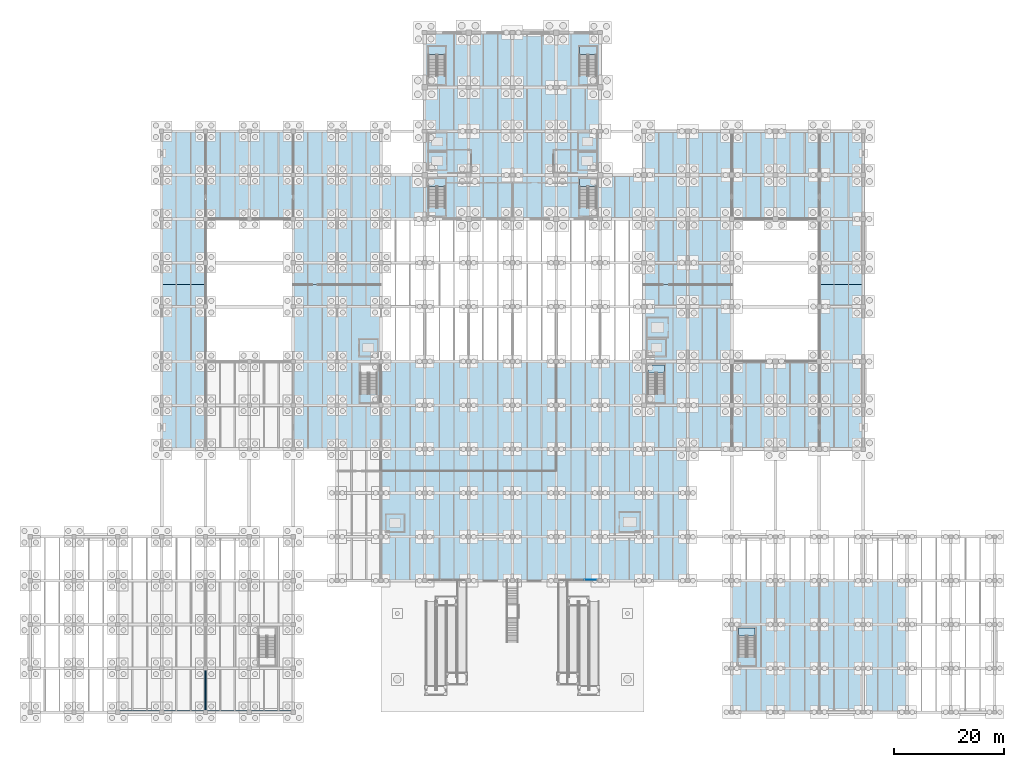
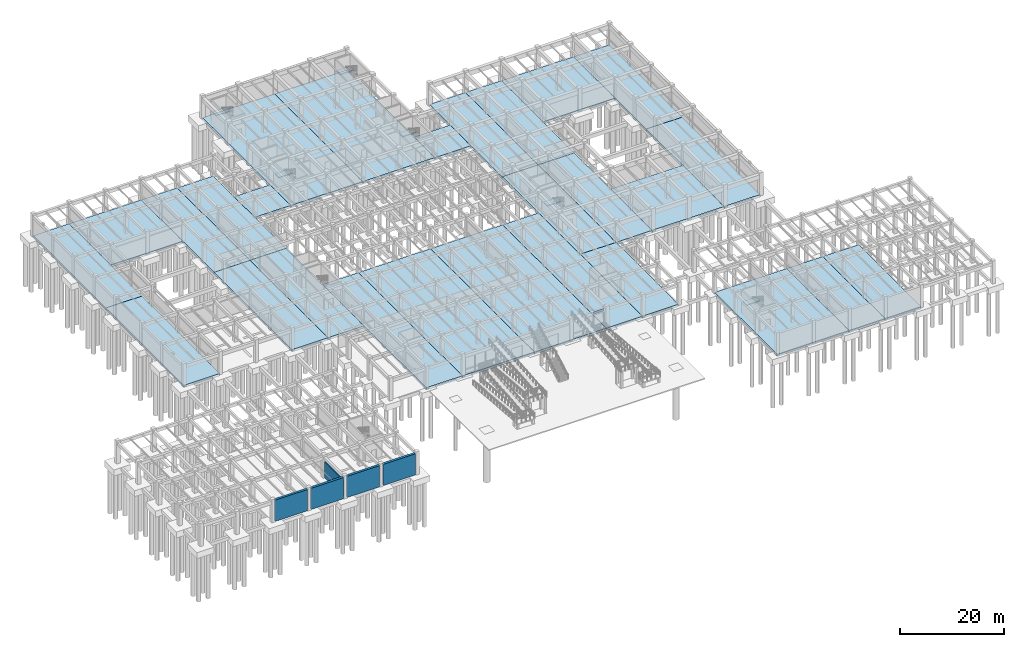
# One storey, part 23 of 44: 33 slabs, 5 walls, 1 plate, 7 elements without a shape of their own.
"""IFC4 building model written with IfcOpenShell, lengths in metres."""

from ifc_helpers import new_model, si_unit, direction, frame, frame_2d, origin, origin_2d, place, context, subcontext, project, spatial, polyline, rectangle, outline, extrude, material, layer, layer_set, type_object, element, aggregate, save


model = new_model("IFC4")

# Units and contexts
model_context = context("Model", 3, precision=1e-05, world=origin(), true_north=direction((0.0, 1.0)))
body_context = subcontext(model_context, "Body", "Model", "MODEL_VIEW")
ifc_project = project(units=[si_unit("LENGTHUNIT", "METRE"), si_unit("AREAUNIT", "SQUARE_METRE"), si_unit("VOLUMEUNIT", "CUBIC_METRE"), si_unit("PLANEANGLEUNIT", "RADIAN"), si_unit("MASSUNIT", "GRAM", prefix="KILO")], contexts=[model_context])

# Site, building, storey
site_placement = place(None, origin())
site = spatial("IfcSite", under=ifc_project, at=site_placement, CompositionType="ELEMENT")
building_placement = place(site_placement, origin())
building = spatial("IfcBuilding", under=site, at=building_placement, Name="Pecanmere Concourse Central Library", CompositionType="ELEMENT")
storey_placement = place(building_placement, frame((0.0, 0.0, -5.39990234375)))
storey = spatial("IfcBuildingStorey", under=building, at=storey_placement, Name="B1", CompositionType="ELEMENT", Elevation=-5.39990234375)

# Curtain wall, plate
ifc_material_1 = material(Name="Anodized bronze aluminium alloy 6063-T6", Category="aluminium")
curtain_wall_type = type_object("IfcCurtainWallType", Name="CW_PORTAL_CLEAR", PredefinedType="USERDEFINED", material=ifc_material_1)
curtain_wall_placement = place(storey_placement, origin())
curtain_wall = element("IfcCurtainWall", 1, at=curtain_wall_placement, inside=storey, type_object=curtain_wall_type, Name="Unitised Curtain Wall CW-03 B1-172", ObjectType="UNITISED CURTAIN WALL", PredefinedType="USERDEFINED")
ifc_material_2 = material(Name="Low-iron clear insulated glazing", Category="glass")
ifc_layer_1 = layer(ifc_material_2, 0.0419921875, Name="CWP_VIS_42")
ifc_layer_set_1 = layer_set([ifc_layer_1], Name="Low-iron clear insulated glazing")
plate_type = type_object("IfcPlateType", Name="CWP_VIS_42", PredefinedType="CURTAIN_PANEL", material=ifc_layer_set_1)
plate_placement = place(storey_placement, frame((102.31201171875, 24.14990234375, 4.205078125), z_axis=(0.0, 0.0, 1.0), x_axis=(1.0, 0.0, 0.0)))
plate = element("IfcPlate", 2, at=plate_placement, type_object=plate_type, Name="CW-03 Vision Panel 3.3", PredefinedType="CURTAIN_PANEL", context=body_context, shape_type="SweptSolid", body=[
    extrude(rectangle(XDim=2.205810546875, YDim=0.0419921875, at=origin_2d()), origin(), (0.0, 0.0, 1.0), 0.485107421875),
])
aggregate(curtain_wall, [plate])

# Slabs
ifc_material_3 = material(Name="Concrete C35/45", Category="concrete")
ifc_layer_2 = layer(ifc_material_3, 0.550048828125, Name="SLAB_BASE_550")
ifc_layer_set_2 = layer_set([ifc_layer_2], Name="Concrete C35/45")
slab_type_1 = type_object("IfcSlabType", Name="SLAB_BASE_550", PredefinedType="BASESLAB", material=ifc_layer_set_2)
slab_1_placement = place(storey_placement, frame((0.0, 0.0, -0.550048828125)))
element("IfcSlab", 3, at=slab_1_placement, inside=storey, type_object=slab_type_1, Name="Floor Slab V3 B1-012", PredefinedType="BASESLAB", context=body_context, shape_type="SweptSolid", body=[
    extrude(outline(polyline([(32.0, 64.0), (32.0, 48.0), (24.0, 48.0), (24.0, 78.0), (32.0, 78.0), (32.0, 64.0)])), origin(), (0.0, 0.0, 1.0), 0.550048828125),
])
slab_2_placement = place(storey_placement, frame((0.0, 0.0, -0.550048828125)))
element("IfcSlab", 4, at=slab_2_placement, inside=storey, type_object=slab_type_1, Name="Floor Slab V3 B1-013", PredefinedType="BASESLAB", context=body_context, shape_type="SweptSolid", body=[
    extrude(outline(polyline([(32.0, 106.0), (32.0, 90.0), (32.0, 78.0), (24.0, 78.0), (24.0, 106.0), (32.0, 106.0)])), origin(), (0.0, 0.0, 1.0), 0.550048828125),
])
slab_3_placement = place(storey_placement, frame((0.0, 0.0, -0.550048828125)))
element("IfcSlab", 5, at=slab_3_placement, inside=storey, type_object=slab_type_1, Name="Floor Slab V3 B1-015", PredefinedType="BASESLAB", context=body_context, shape_type="SweptSolid", body=[
    extrude(outline(polyline([(32.0, 106.0), (48.0, 106.0), (48.0, 91.60009765625), (47.919921875, 91.60009765625), (47.919921875, 91.0), (48.0, 91.0), (48.0, 90.0), (32.0, 90.0), (32.0, 106.0)])), origin(), (0.0, 0.0, 1.0), 0.550048828125),
])
slab_4_placement = place(storey_placement, frame((0.0, 0.0, -0.550048828125)))
element("IfcSlab", 6, at=slab_4_placement, inside=storey, type_object=slab_type_1, Name="Floor Slab V3 B1-016", PredefinedType="BASESLAB", context=body_context, shape_type="SweptSolid", body=[
    extrude(outline(polyline([(56.0, 48.0), (48.0, 48.0), (48.0, 64.0), (48.0, 78.0), (56.0, 78.0), (56.0, 48.0)])), origin(), (0.0, 0.0, 1.0), 0.550048828125),
])
slab_5_placement = place(storey_placement, frame((0.0, 0.0, -0.550048828125)))
element("IfcSlab", 7, at=slab_5_placement, inside=storey, type_object=slab_type_1, Name="Floor Slab V3 B1-017", PredefinedType="BASESLAB", context=body_context, shape_type="SweptSolid", body=[
    extrude(outline(polyline([(56.0, 78.0), (48.0, 78.0), (48.0, 90.0), (48.0, 106.0), (56.0, 106.0), (56.0, 78.0)])), origin(), (0.0, 0.0, 1.0), 0.550048828125),
])
slab_6_placement = place(storey_placement, frame((0.0, 0.0, -0.550048828125)))
element("IfcSlab", 8, at=slab_6_placement, inside=storey, type_object=slab_type_1, Name="Floor Slab V3 B1-018", PredefinedType="BASESLAB", context=body_context, shape_type="SweptSolid", body=[
    extrude(outline(polyline([(56.0, 48.0), (56.0, 78.0), (64.0, 78.0), (64.0, 49.60009765625), (63.919921875, 49.60009765625), (63.919921875, 49.0), (64.0, 49.0), (64.0, 48.0), (56.0, 48.0)])), origin(), (0.0, 0.0, 1.0), 0.550048828125),
])
slab_7_placement = place(storey_placement, frame((0.0, 0.0, -0.550048828125)))
element("IfcSlab", 9, at=slab_7_placement, inside=storey, type_object=slab_type_1, Name="Floor Slab V3 B1-019", PredefinedType="BASESLAB", context=body_context, shape_type="SweptSolid", body=[
    extrude(outline(polyline([(64.0, 98.0), (64.0, 90.0), (64.0, 78.0), (56.0, 78.0), (56.0, 106.0), (64.0, 106.0), (64.0, 98.0)])), origin(), (0.0, 0.0, 1.0), 0.550048828125),
])
slab_8_placement = place(storey_placement, frame((0.0, 0.0, -0.550048828125)))
element("IfcSlab", 10, at=slab_8_placement, inside=storey, type_object=slab_type_1, Name="Floor Slab V3 B1-020", PredefinedType="BASESLAB", context=body_context, shape_type="SweptSolid", body=[
    extrude(outline(polyline([(64.0, 90.0), (64.0, 98.0), (72.0, 98.0), (72.0, 91.60009765625), (71.919921875, 91.60009765625), (71.919921875, 91.0), (72.0, 91.0), (72.0, 90.0), (64.0, 90.0)])), origin(), (0.0, 0.0, 1.0), 0.550048828125),
])
slab_9_placement = place(storey_placement, frame((0.0, 0.0, -0.550048828125)))
element("IfcSlab", 11, at=slab_9_placement, inside=storey, type_object=slab_type_1, Name="Floor Slab V5 B1-024", PredefinedType="BASESLAB", context=body_context, shape_type="SweptSolid", body=[
    extrude(outline(polyline([(144.0, 1.60009765625), (143.919921875, 1.60009765625), (143.919921875, 1.0), (144.0, 1.0), (144.0, 0.0), (128.0, 0.0), (128.0, 24.0), (144.0, 24.0), (144.0, 1.60009765625)])), origin(), (0.0, 0.0, 1.0), 0.550048828125),
])
slab_10_placement = place(storey_placement, frame((0.0, 0.0, -0.550048828125)))
element("IfcSlab", 12, at=slab_10_placement, inside=storey, type_object=slab_type_1, Name="Floor Slab V5 B1-025", PredefinedType="BASESLAB", context=body_context, shape_type="SweptSolid", body=[
    extrude(outline(polyline([(144.0, 0.0), (144.0, 24.0), (152.0, 24.0), (152.0, 1.60009765625), (151.919921875, 1.60009765625), (151.919921875, 1.0), (152.0, 1.0), (152.0, 0.0), (144.0, 0.0)])), origin(), (0.0, 0.0, 1.0), 0.550048828125),
])
slab_11_placement = place(storey_placement, frame((0.0, 0.0, -0.550048828125)))
element("IfcSlab", 13, at=slab_11_placement, inside=storey, type_object=slab_type_1, Name="Floor Slab V5 B1-026", PredefinedType="BASESLAB", context=body_context, shape_type="SweptSolid", body=[
    extrude(outline(polyline([(152.0, 0.0), (152.0, 24.0), (160.0, 24.0), (160.0, 1.60009765625), (159.919921875, 1.60009765625), (159.919921875, 1.0), (160.0, 1.0), (160.0, 0.0), (152.0, 0.0)])), origin(), (0.0, 0.0, 1.0), 0.550048828125),
])
slab_12_placement = place(storey_placement, frame((0.0, 0.0, -0.550048828125)))
element("IfcSlab", 14, at=slab_12_placement, inside=storey, type_object=slab_type_1, Name="Floor Slab V6 B1-028", PredefinedType="BASESLAB", context=body_context, shape_type="SweptSolid", body=[
    extrude(outline(polyline([(64.0, 48.0), (64.0, 64.0), (72.0, 64.0), (72.0, 24.0), (64.0, 24.0), (64.0, 48.0)])), origin(), (0.0, 0.0, 1.0), 0.550048828125),
])
slab_13_placement = place(storey_placement, frame((0.0, 0.0, -0.550048828125)))
element("IfcSlab", 15, at=slab_13_placement, inside=storey, type_object=slab_type_1, Name="Floor Slab V6 B1-029", PredefinedType="BASESLAB", context=body_context, shape_type="SweptSolid", body=[
    extrude(outline(polyline([(88.0, 64.0), (88.0, 25.60009765625), (87.919921875, 25.60009765625), (87.919921875, 25.0), (88.0, 25.0), (88.0, 24.0), (72.0, 24.0), (72.0, 64.0), (88.0, 64.0)])), origin(), (0.0, 0.0, 1.0), 0.550048828125),
])
slab_14_placement = place(storey_placement, frame((0.0, 0.0, -0.550048828125)))
element("IfcSlab", 16, at=slab_14_placement, inside=storey, type_object=slab_type_1, Name="Floor Slab V6 B1-030", PredefinedType="BASESLAB", context=body_context, shape_type="SweptSolid", body=[
    extrude(outline(polyline([(104.0, 64.0), (104.0, 25.60009765625), (103.919921875, 25.60009765625), (103.919921875, 25.0), (104.0, 25.0), (104.0, 24.0), (88.0, 24.0), (88.0, 64.0), (104.0, 64.0)])), origin(), (0.0, 0.0, 1.0), 0.550048828125),
])
slab_15_placement = place(storey_placement, frame((0.0, 0.0, -0.550048828125)))
element("IfcSlab", 17, at=slab_15_placement, inside=storey, type_object=slab_type_1, Name="Floor Slab V6 B1-031", PredefinedType="BASESLAB", context=body_context, shape_type="SweptSolid", body=[
    extrude(outline(polyline([(104.0, 64.0), (112.0, 64.0), (112.0, 48.0), (112.0, 24.0), (104.0, 24.0), (104.0, 64.0)])), origin(), (0.0, 0.0, 1.0), 0.550048828125),
])
slab_16_placement = place(storey_placement, frame((0.0, 0.0, -0.550048828125)))
element("IfcSlab", 18, at=slab_16_placement, inside=storey, type_object=slab_type_1, Name="Floor Slab V6 B1-032", PredefinedType="BASESLAB", context=body_context, shape_type="SweptSolid", body=[
    extrude(outline(polyline([(120.0, 48.0), (120.0, 25.60009765625), (119.919921875, 25.60009765625), (119.919921875, 25.0), (120.0, 25.0), (120.0, 24.0), (112.0, 24.0), (112.0, 48.0), (120.0, 48.0)])), origin(), (0.0, 0.0, 1.0), 0.550048828125),
])
ifc_material_4 = material(Name="Concrete C35/45", Category="concrete")
ifc_layer_3 = layer(ifc_material_4, 0.6201171875, Name="SLAB_BASE_620")
ifc_layer_set_3 = layer_set([ifc_layer_3], Name="Concrete C35/45")
slab_type_2 = type_object("IfcSlabType", Name="SLAB_BASE_620", PredefinedType="BASESLAB", material=ifc_layer_set_3)
slab_17_placement = place(storey_placement, frame((0.0, 0.0, -0.6201171875)))
element("IfcSlab", 19, at=slab_17_placement, inside=storey, type_object=slab_type_2, Name="Floor Slab V1 B1-001", PredefinedType="BASESLAB", context=body_context, shape_type="SweptSolid", body=[
    extrude(outline(polyline([(72.0, 90.0), (72.0, 124.0), (88.0, 124.0), (88.0, 91.60009765625), (87.919921875, 91.60009765625), (87.919921875, 91.0), (88.0, 91.0), (88.0, 90.0), (72.0, 90.0)])), origin(), (0.0, 0.0, 1.0), 0.6201171875),
])
slab_18_placement = place(storey_placement, frame((0.0, 0.0, -0.6201171875)))
element("IfcSlab", 20, at=slab_18_placement, inside=storey, type_object=slab_type_2, Name="Floor Slab V1 B1-002", PredefinedType="BASESLAB", context=body_context, shape_type="SweptSolid", body=[
    extrude(outline(polyline([(88.0, 124.0), (104.0, 124.0), (104.0, 91.60009765625), (103.919921875, 91.60009765625), (103.919921875, 91.0), (104.0, 91.0), (104.0, 90.0), (88.0, 90.0), (88.0, 124.0)])), origin(), (0.0, 0.0, 1.0), 0.6201171875),
])
slab_19_placement = place(storey_placement, frame((0.0, 0.0, -0.6201171875)))
element("IfcSlab", 21, at=slab_19_placement, inside=storey, type_object=slab_type_2, Name="Floor Slab V2 B1-003", PredefinedType="BASESLAB", context=body_context, shape_type="SweptSolid", body=[
    extrude(outline(polyline([(112.0, 98.0), (112.0, 91.60009765625), (111.919921875, 91.60009765625), (111.919921875, 91.0), (112.0, 91.0), (112.0, 90.0), (104.0, 90.0), (104.0, 98.0), (112.0, 98.0)])), origin(), (0.0, 0.0, 1.0), 0.6201171875),
])
slab_20_placement = place(storey_placement, frame((0.0, 0.0, -0.6201171875)))
element("IfcSlab", 22, at=slab_20_placement, inside=storey, type_object=slab_type_2, Name="Floor Slab V2 B1-004", PredefinedType="BASESLAB", context=body_context, shape_type="SweptSolid", body=[
    extrude(outline(polyline([(112.0, 48.0), (112.0, 78.0), (120.0, 78.0), (120.0, 49.60009765625), (119.919921875, 49.60009765625), (119.919921875, 49.0), (120.0, 49.0), (120.0, 48.0), (112.0, 48.0)])), origin(), (0.0, 0.0, 1.0), 0.6201171875),
])
slab_21_placement = place(storey_placement, frame((0.0, 0.0, -0.6201171875)))
element("IfcSlab", 23, at=slab_21_placement, inside=storey, type_object=slab_type_2, Name="Floor Slab V2 B1-005", PredefinedType="BASESLAB", context=body_context, shape_type="SweptSolid", body=[
    extrude(outline(polyline([(112.0, 98.0), (112.0, 106.0), (120.0, 106.0), (120.0, 78.0), (112.0, 78.0), (112.0, 90.0), (112.0, 98.0)])), origin(), (0.0, 0.0, 1.0), 0.6201171875),
])
slab_22_placement = place(storey_placement, frame((0.0, 0.0, -0.6201171875)))
element("IfcSlab", 24, at=slab_22_placement, inside=storey, type_object=slab_type_2, Name="Floor Slab V2 B1-006", PredefinedType="BASESLAB", context=body_context, shape_type="SweptSolid", body=[
    extrude(outline(polyline([(128.0, 64.0), (128.0, 48.0), (120.0, 48.0), (120.0, 78.0), (128.0, 78.0), (128.0, 64.0)])), origin(), (0.0, 0.0, 1.0), 0.6201171875),
])
slab_23_placement = place(storey_placement, frame((0.0, 0.0, -0.6201171875)))
element("IfcSlab", 25, at=slab_23_placement, inside=storey, type_object=slab_type_2, Name="Floor Slab V2 B1-007", PredefinedType="BASESLAB", context=body_context, shape_type="SweptSolid", body=[
    extrude(outline(polyline([(128.0, 90.0), (128.0, 78.0), (120.0, 78.0), (120.0, 106.0), (128.0, 106.0), (128.0, 90.0)])), origin(), (0.0, 0.0, 1.0), 0.6201171875),
])
slab_24_placement = place(storey_placement, frame((0.0, 0.0, -0.6201171875)))
element("IfcSlab", 26, at=slab_24_placement, inside=storey, type_object=slab_type_2, Name="Floor Slab V2 B1-008", PredefinedType="BASESLAB", context=body_context, shape_type="SweptSolid", body=[
    extrude(outline(polyline([(144.0, 49.60009765625), (143.919921875, 49.60009765625), (143.919921875, 49.0), (144.0, 49.0), (144.0, 48.0), (128.0, 48.0), (128.0, 64.0), (144.0, 64.0), (144.0, 49.60009765625)])), origin(), (0.0, 0.0, 1.0), 0.6201171875),
])
slab_25_placement = place(storey_placement, frame((0.0, 0.0, -0.6201171875)))
element("IfcSlab", 27, at=slab_25_placement, inside=storey, type_object=slab_type_2, Name="Floor Slab V2 B1-009", PredefinedType="BASESLAB", context=body_context, shape_type="SweptSolid", body=[
    extrude(outline(polyline([(128.0, 106.0), (144.0, 106.0), (144.0, 91.60009765625), (143.919921875, 91.60009765625), (143.919921875, 91.0), (144.0, 91.0), (144.0, 90.0), (128.0, 90.0), (128.0, 106.0)])), origin(), (0.0, 0.0, 1.0), 0.6201171875),
])
slab_26_placement = place(storey_placement, frame((0.0, 0.0, -0.6201171875)))
element("IfcSlab", 28, at=slab_26_placement, inside=storey, type_object=slab_type_2, Name="Floor Slab V2 B1-010", PredefinedType="BASESLAB", context=body_context, shape_type="SweptSolid", body=[
    extrude(outline(polyline([(152.0, 48.0), (144.0, 48.0), (144.0, 64.0), (144.0, 78.0), (152.0, 78.0), (152.0, 48.0)])), origin(), (0.0, 0.0, 1.0), 0.6201171875),
])
slab_27_placement = place(storey_placement, frame((0.0, 0.0, -0.6201171875)))
element("IfcSlab", 29, at=slab_27_placement, inside=storey, type_object=slab_type_2, Name="Floor Slab V2 B1-011", PredefinedType="BASESLAB", context=body_context, shape_type="SweptSolid", body=[
    extrude(outline(polyline([(152.0, 78.0), (144.0, 78.0), (144.0, 90.0), (144.0, 106.0), (152.0, 106.0), (152.0, 78.0)])), origin(), (0.0, 0.0, 1.0), 0.6201171875),
])

# Stair, slab
ifc_material_5 = material(Name="Concrete C35/45", Category="concrete")
stair_type_1 = type_object("IfcStairType", Name="STAIR_TYPE_ST-01-1800", PredefinedType="USERDEFINED", material=ifc_material_5)
stair_1_placement = place(storey_placement, origin())
stair_1 = element("IfcStair", 30, at=stair_1_placement, inside=storey, type_object=stair_type_1, Name="B1 Protected Stair ST-01", ObjectType="TWO_RETURN_STAIR", PredefinedType="USERDEFINED")
ifc_material_6 = material(Name="Concrete C35/45", Category="concrete")
ifc_layer_4 = layer(ifc_material_6, 0.199951171875, Name="SLAB_LANDING_200")
ifc_layer_set_4 = layer_set([ifc_layer_4], Name="Concrete C35/45")
slab_type_3 = type_object("IfcSlabType", Name="SLAB_LANDING_200", PredefinedType="LANDING", material=ifc_layer_set_4)
slab_28_placement = place(storey_placement, frame((0.0, 0.0, 2.5)))
slab_28 = element("IfcSlab", 31, at=slab_28_placement, type_object=slab_type_3, Name="ST-01-1800 landing 1", PredefinedType="LANDING", context=body_context, shape_type="SweptSolid", body=[
    extrude(outline(polyline([(75.760009765625, 95.919921875), (75.760009765625, 97.3701171875), (72.699951171875, 97.3701171875), (72.699951171875, 95.919921875), (75.760009765625, 95.919921875)])), origin(), (0.0, 0.0, 1.0), 0.199951171875),
])
aggregate(stair_1, [slab_28])

ifc_material_7 = material(Name="Concrete C35/45", Category="concrete")
stair_type_2 = type_object("IfcStairType", Name="STAIR_TYPE_ST-02-1800", PredefinedType="USERDEFINED", material=ifc_material_7)
stair_2_placement = place(storey_placement, origin())
stair_2 = element("IfcStair", 32, at=stair_2_placement, inside=storey, type_object=stair_type_2, Name="B1 Protected Stair ST-02", ObjectType="TWO_RETURN_STAIR", PredefinedType="USERDEFINED")
slab_29_placement = place(storey_placement, frame((0.0, 0.0, 2.5)))
slab_29 = element("IfcSlab", 33, at=slab_29_placement, type_object=slab_type_3, Name="ST-02-1800 landing 1", PredefinedType="LANDING", context=body_context, shape_type="SweptSolid", body=[
    extrude(outline(polyline([(103.300048828125, 95.919921875), (103.300048828125, 97.3701171875), (100.239990234375, 97.3701171875), (100.239990234375, 95.919921875), (103.300048828125, 95.919921875)])), origin(), (0.0, 0.0, 1.0), 0.199951171875),
])
aggregate(stair_2, [slab_29])

ifc_material_8 = material(Name="Concrete C35/45", Category="concrete")
stair_type_3 = type_object("IfcStairType", Name="STAIR_TYPE_ST-03-1800", PredefinedType="USERDEFINED", material=ifc_material_8)
stair_3_placement = place(storey_placement, origin())
stair_3 = element("IfcStair", 34, at=stair_3_placement, inside=storey, type_object=stair_type_3, Name="B1 Protected Stair ST-03", ObjectType="TWO_RETURN_STAIR", PredefinedType="USERDEFINED")
slab_30_placement = place(storey_placement, frame((0.0, 0.0, 2.5)))
slab_30 = element("IfcSlab", 35, at=slab_30_placement, type_object=slab_type_3, Name="ST-03-1800 landing 1", PredefinedType="LANDING", context=body_context, shape_type="SweptSolid", body=[
    extrude(outline(polyline([(75.760009765625, 119.969970703125), (75.760009765625, 121.419921875), (72.699951171875, 121.419921875), (72.699951171875, 119.969970703125), (75.760009765625, 119.969970703125)])), origin(), (0.0, 0.0, 1.0), 0.199951171875),
])
aggregate(stair_3, [slab_30])

ifc_material_9 = material(Name="Concrete C35/45", Category="concrete")
stair_type_4 = type_object("IfcStairType", Name="STAIR_TYPE_ST-04-1800", PredefinedType="USERDEFINED", material=ifc_material_9)
stair_4_placement = place(storey_placement, origin())
stair_4 = element("IfcStair", 36, at=stair_4_placement, inside=storey, type_object=stair_type_4, Name="B1 Protected Stair ST-04", ObjectType="TWO_RETURN_STAIR", PredefinedType="USERDEFINED")
slab_31_placement = place(storey_placement, frame((0.0, 0.0, 2.5)))
slab_31 = element("IfcSlab", 37, at=slab_31_placement, type_object=slab_type_3, Name="ST-04-1800 landing 1", PredefinedType="LANDING", context=body_context, shape_type="SweptSolid", body=[
    extrude(outline(polyline([(103.300048828125, 119.969970703125), (103.300048828125, 121.419921875), (100.239990234375, 121.419921875), (100.239990234375, 119.969970703125), (103.300048828125, 119.969970703125)])), origin(), (0.0, 0.0, 1.0), 0.199951171875),
])
aggregate(stair_4, [slab_31])

ifc_material_10 = material(Name="Concrete C35/45", Category="concrete")
stair_type_5 = type_object("IfcStairType", Name="STAIR_TYPE_ST-05-1800", PredefinedType="USERDEFINED", material=ifc_material_10)
stair_5_placement = place(storey_placement, origin())
stair_5 = element("IfcStair", 38, at=stair_5_placement, inside=storey, type_object=stair_type_5, Name="B1 Protected Stair ST-05", ObjectType="TWO_RETURN_STAIR", PredefinedType="USERDEFINED")
slab_32_placement = place(storey_placement, frame((0.0, 0.0, 2.5)))
slab_32 = element("IfcSlab", 39, at=slab_32_placement, type_object=slab_type_3, Name="ST-05-1800 landing 1", PredefinedType="LANDING", context=body_context, shape_type="SweptSolid", body=[
    extrude(outline(polyline([(115.760009765625, 61.919921875), (115.760009765625, 63.3701171875), (112.699951171875, 63.3701171875), (112.699951171875, 61.919921875), (115.760009765625, 61.919921875)])), origin(), (0.0, 0.0, 1.0), 0.199951171875),
])
aggregate(stair_5, [slab_32])

ifc_material_11 = material(Name="Concrete C35/45", Category="concrete")
stair_type_6 = type_object("IfcStairType", Name="STAIR_TYPE_ST-08-1800", PredefinedType="USERDEFINED", material=ifc_material_11)
stair_6_placement = place(storey_placement, origin())
stair_6 = element("IfcStair", 40, at=stair_6_placement, inside=storey, type_object=stair_type_6, Name="B1 Protected Stair ST-08", ObjectType="TWO_RETURN_STAIR", PredefinedType="USERDEFINED")
slab_33_placement = place(storey_placement, frame((0.0, 0.0, 2.5)))
slab_33 = element("IfcSlab", 41, at=slab_33_placement, type_object=slab_type_3, Name="ST-08-1800 landing 1", PredefinedType="LANDING", context=body_context, shape_type="SweptSolid", body=[
    extrude(outline(polyline([(132.300048828125, 13.919921875), (132.300048828125, 15.3701171875), (129.239990234375, 15.3701171875), (129.239990234375, 13.919921875), (132.300048828125, 13.919921875)])), origin(), (0.0, 0.0, 1.0), 0.199951171875),
])
aggregate(stair_6, [slab_33])

# Walls
ifc_material_12 = material(Name="Fire-rated gypsum board on acoustic steel stud", Category="steel")
ifc_layer_5 = layer(ifc_material_12, 0.199951171875, Name="IW_PART_200")
ifc_layer_set_5 = layer_set([ifc_layer_5], Name="Fire-rated gypsum board on acoustic steel stud")
wall_type_1 = type_object("IfcWallType", Name="IW_PART_200", PredefinedType="PARTITIONING", material=ifc_layer_set_5)
wall_placement = place(storey_placement, frame((32.0, 0.409912109375, 0.0), z_axis=(0.0, 0.0, 1.0), x_axis=(0.0, 1.0, 0.0)))
element("IfcWall", 42, at=wall_placement, inside=storey, type_object=wall_type_1, Name="Interior Partition B1-0040", PredefinedType="PARTITIONING", context=body_context, shape_type="SweptSolid", body=[
    extrude(rectangle(XDim=7.18017578125, YDim=0.199951171875, at=frame_2d((3.590087890625, 0.0))), origin(), (0.0, 0.0, 1.0), 3.829833984375),
])
ifc_material_13 = material(Name="Concrete C40/50", Category="concrete")
ifc_layer_6 = layer(ifc_material_13, 0.52001953125, Name="WALL_RET_520")
ifc_layer_set_6 = layer_set([ifc_layer_6], Name="Concrete C40/50")
wall_type_2 = type_object("IfcWallType", Name="WALL_RET_520", PredefinedType="USERDEFINED", material=ifc_layer_set_6)
for number, where, z_axis, x_axis, name in (
    (43, (16.39990234375, 0.0, 0.0), (0.0, 0.0, 1.0), (1.0, 0.0, 0.0), "Basement Retaining Wall B1-001"),
    (44, (24.39990234375, 0.0, 0.0), (0.0, 0.0, 1.0), (1.0, 0.0, 0.0), "Basement Retaining Wall B1-002"),
    (45, (32.39990234375, 0.0, 0.0), (0.0, 0.0, 1.0), (1.0, 0.0, 0.0), "Basement Retaining Wall B1-003"),
    (46, (40.39990234375, 0.0, 0.0), (0.0, 0.0, 1.0), (1.0, 0.0, 0.0), "Basement Retaining Wall B1-004"),
):
    element("IfcWall", number, at=place(storey_placement, frame(where, z_axis=z_axis, x_axis=x_axis)), inside=storey, type_object=wall_type_2, Name=name, ObjectType="RETAININGWALL", PredefinedType="USERDEFINED", context=body_context, shape_type="SweptSolid", body=[
        extrude(rectangle(XDim=7.2001953125, YDim=0.52001953125, at=frame_2d((3.60009765625, 0.0))), origin(), (0.0, 0.0, 1.0), 4.97998046875),
    ])

save(model, "model.ifc")
